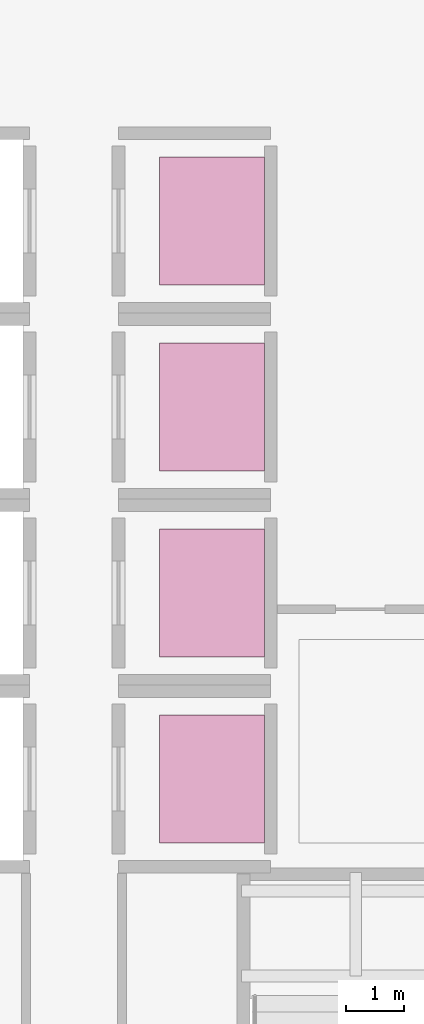
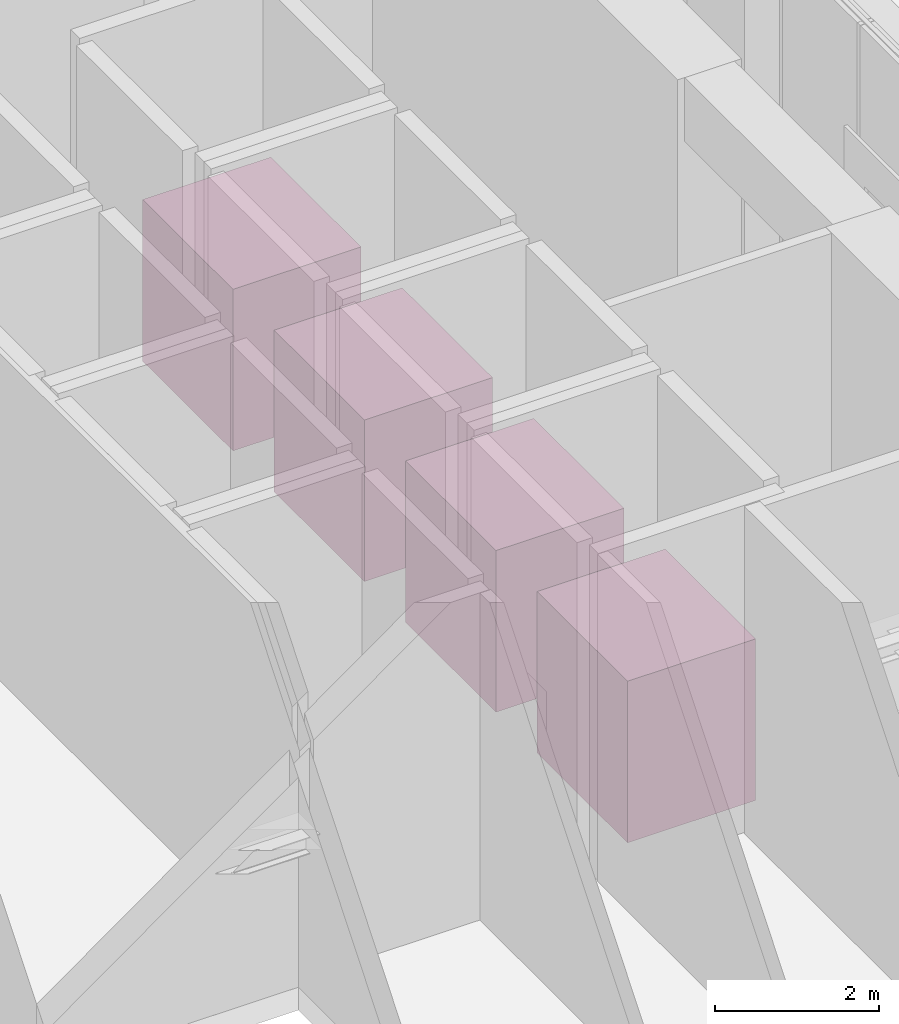
# One storey, part 24 of 24: 4 transport elements.
"""IFC4 building model written with IfcOpenShell, lengths in metres."""

import ifcopenshell
import ifcopenshell.guid

model = None  # the IFC model being written
_history = None  # IfcOwnerHistory: only IFC2X3 demands one
_inside = {}  # id of a spatial element -> (the spatial element, [elements in it])
_under = {}  # id of a project, library or spatial element -> (it, [spatial elements below it])
_declared = {}  # id of a project -> (the project, [libraries it declares])
_typed = {}  # id of a type object -> (the type object, [elements of that type])
_made_of = {}  # id of a material, layer set ... -> (it, [elements and type objects made of it])


def new_model(schema):
    """Start an empty IFC model of exactly this schema.

    Asked for "IFC4X3", IfcOpenShell would pick the latest addendum, in which some entities
    have other attributes; the version numbers below select the first issue.
    IFC2X3 requires an IfcOwnerHistory on every rooted entity: one is made here for all.
    """
    global model, _history
    if schema == "IFC4X3":
        model = ifcopenshell.file(schema_version=(4, 3, 0, 0))
    else:
        model = ifcopenshell.file(schema=schema)
    _inside.clear()
    _under.clear()
    _declared.clear()
    _typed.clear()
    _made_of.clear()
    _history = None
    if model.schema == "IFC2X3":
        org = make("IfcOrganization", Name="unknown")
        user = make(
            "IfcPersonAndOrganization",
            ThePerson=make("IfcPerson", FamilyName="unknown"),
            TheOrganization=org,
        )
        app = make(
            "IfcApplication",
            ApplicationDeveloper=org,
            Version="unknown",
            ApplicationFullName="unknown",
            ApplicationIdentifier="unknown",
        )
        _history = make(
            "IfcOwnerHistory",
            OwningUser=user,
            OwningApplication=app,
            ChangeAction="ADDED",
            CreationDate=0,
        )
    return model


def make(cls, **values):
    """One entity of the class cls with the attributes given. An attribute that is None is left unset."""
    return model.create_entity(
        cls, **{name: value for name, value in values.items() if value is not None}
    )


def rooted(cls, **values):
    """An entity with a GlobalId (a new one), such as an element, a storey or a relation."""
    return make(cls, GlobalId=ifcopenshell.guid.new(), OwnerHistory=_history, **values)


def si_unit(unit_type, name, prefix=None):
    """IfcSIUnit, for example si_unit("LENGTHUNIT", "METRE", prefix="MILLI")."""
    return make("IfcSIUnit", UnitType=unit_type, Prefix=prefix, Name=name)


def assignment(units):
    """IfcUnitAssignment: the units of a project."""
    return None if units is None else make("IfcUnitAssignment", Units=units)


def point(xyz):
    """IfcCartesianPoint."""
    return None if xyz is None else make("IfcCartesianPoint", Coordinates=xyz)


def direction(xyz):
    """IfcDirection."""
    return None if xyz is None else make("IfcDirection", DirectionRatios=xyz)


def frame(location, z_axis=None, x_axis=None):
    """IfcAxis2Placement3D, a coordinate frame: its origin and axes. An axis left out is left unset."""
    return make(
        "IfcAxis2Placement3D",
        Location=point(location),
        Axis=direction(z_axis),
        RefDirection=direction(x_axis),
    )


def frame_2d(location, x_axis=None):
    """IfcAxis2Placement2D, a coordinate frame in the plane: its origin and x axis."""
    return make(
        "IfcAxis2Placement2D", Location=point(location), RefDirection=direction(x_axis)
    )


def origin():
    """The frame at (0, 0, 0) with its axes left unset."""
    return frame((0.0, 0.0, 0.0))


def origin_2d():
    """The frame at (0, 0) in the plane with its x axis left unset."""
    return frame_2d((0.0, 0.0))


def place(relative_to, where):
    """IfcLocalPlacement: puts the frame where relative to a parent placement (None: the world)."""
    return make(
        "IfcLocalPlacement", PlacementRelTo=relative_to, RelativePlacement=where
    )


def context(
    kind, dimensions, precision=None, world=None, true_north=None, identifier=None
):
    """IfcGeometricRepresentationContext, for example the 3D "Model" context."""
    return make(
        "IfcGeometricRepresentationContext",
        ContextIdentifier=identifier,
        ContextType=kind,
        CoordinateSpaceDimension=dimensions,
        Precision=precision,
        WorldCoordinateSystem=world,
        TrueNorth=true_north,
    )


def subcontext(parent, identifier, kind, view, scale=None):
    """IfcGeometricRepresentationSubContext, for example "Body" below "Model"."""
    return make(
        "IfcGeometricRepresentationSubContext",
        ContextIdentifier=identifier,
        ContextType=kind,
        ParentContext=parent,
        TargetScale=scale,
        TargetView=view,
    )


def project(units=None, contexts=None):
    """IfcProject with its units and contexts."""
    return rooted(
        "IfcProject",
        Name="project",
        RepresentationContexts=contexts,
        UnitsInContext=assignment(units),
    )


def spatial(cls, under=None, at=None, **own):
    """A site, building, storey or space (cls), placed at a placement, below another one or the project."""
    s = rooted(cls, ObjectPlacement=at, **own)
    if under is not None:
        _under.setdefault(under.id(), (under, []))[1].append(s)
    return s


def profile(cls, at=None, kind="AREA", **sizes):
    """A parametric profile (cls). Its sizes go by their IFC names, for example OverallWidth=200.0."""
    return make(cls, ProfileType=kind, Position=at, **sizes)


def rectangle(**sizes):
    """IfcRectangleProfileDef."""
    return profile("IfcRectangleProfileDef", **sizes)


def extrude(swept, where, along, depth):
    """IfcExtrudedAreaSolid: the profile swept, set in the frame where, extruded along a direction by depth."""
    return make(
        "IfcExtrudedAreaSolid",
        SweptArea=swept,
        Position=where,
        ExtrudedDirection=direction(along),
        Depth=depth,
    )


def shape(context_of_items, identifier, shape_type, items):
    """IfcShapeRepresentation: the items that make up one representation, for example the "Body"."""
    return make(
        "IfcShapeRepresentation",
        ContextOfItems=context_of_items,
        RepresentationIdentifier=identifier,
        RepresentationType=shape_type,
        Items=items,
    )


def material(Name=None, Category=None):
    """IfcMaterial."""
    return make("IfcMaterial", Name=Name, Category=Category)


def made_of(thing, what):
    """Note that an element or type object is made of a material, layer set ...; save() writes the relation."""
    if what is not None:
        _made_of.setdefault(what.id(), (what, []))[1].append(thing)
    return thing


def type_object(cls, material=None, **own):
    """A type object (cls), such as IfcWallType, which elements share."""
    return made_of(rooted(cls, **own), material)


def element(
    cls,
    number,
    at=None,
    inside=None,
    cuts=None,
    type_object=None,
    material=None,
    context=None,
    identifier="Body",
    shape_type=None,
    held_by="IfcProductDefinitionShape",
    body=None,
    shapes=None,
    **own,
):
    """One element of the class cls, such as IfcWall. Its Tag is "e" and its number.

    at: its placement. inside: the storey or other place that contains it. cuts: it is an
    opening in that element (IfcRelVoidsElement). A single representation is given by context,
    identifier, shape_type and body (its items); several are given by shapes. held_by: the class
    of the entity that holds the representations. save() writes the other relations.
    """
    e = rooted(cls, Tag="e%d" % number, ObjectPlacement=at, **own)
    if body is not None:
        shapes = [shape(context, identifier, shape_type, body)]
    if shapes is not None:
        e.Representation = make(held_by, Representations=shapes)
    if inside is not None:
        _inside.setdefault(inside.id(), (inside, []))[1].append(e)
    if cuts is not None:
        rooted(
            "IfcRelVoidsElement", RelatingBuildingElement=cuts, RelatedOpeningElement=e
        )
    if type_object is not None:
        _typed.setdefault(type_object.id(), (type_object, []))[1].append(e)
    return made_of(e, material)


def aggregate(whole, parts):
    """IfcRelAggregates: a whole, such as a stair, and the parts it consists of."""
    return rooted("IfcRelAggregates", RelatingObject=whole, RelatedObjects=parts)


def save(model, path):
    """Write the relations noted so far, then the file.

    IfcRelAggregates (storeys below a building ...), IfcRelContainedInSpatialStructure (elements
    in a storey), IfcRelDefinesByType, IfcRelAssociatesMaterial and IfcRelDeclares: one each for
    every whole, place, type object, material and project.
    """
    for whole, parts in _under.values():
        aggregate(whole, parts)
    for where, things in _inside.values():
        rooted(
            "IfcRelContainedInSpatialStructure",
            RelatedElements=things,
            RelatingStructure=where,
        )
    for kind, things in _typed.values():
        rooted("IfcRelDefinesByType", RelatedObjects=things, RelatingType=kind)
    for what, things in _made_of.values():
        rooted("IfcRelAssociatesMaterial", RelatedObjects=things, RelatingMaterial=what)
    for by, libraries in _declared.values():
        rooted("IfcRelDeclares", RelatingContext=by, RelatedDefinitions=libraries)
    model.write(path)


model = new_model("IFC4")

# Units and contexts
model_context = context("Model", 3, precision=1e-05, world=origin(), true_north=direction((0.0, 1.0)))
body_context = subcontext(model_context, "Body", "Model", "MODEL_VIEW")
ifc_project = project(units=[si_unit("LENGTHUNIT", "METRE"), si_unit("AREAUNIT", "SQUARE_METRE"), si_unit("VOLUMEUNIT", "CUBIC_METRE"), si_unit("PLANEANGLEUNIT", "RADIAN"), si_unit("MASSUNIT", "GRAM", prefix="KILO")], contexts=[model_context])

# Site, building, storey
site_placement = place(None, origin())
site = spatial("IfcSite", under=ifc_project, at=site_placement, CompositionType="ELEMENT")
building_placement = place(site_placement, origin())
building = spatial("IfcBuilding", under=site, at=building_placement, Name="Norrvale University Quadrangle", CompositionType="ELEMENT")
storey_placement = place(building_placement, origin())
storey = spatial("IfcBuildingStorey", under=building, at=storey_placement, Name="L00", CompositionType="ELEMENT", Elevation=0.0)

# Transport elements
ifc_material = material(Name="Stainless Steel 316L Elevator Cab", Category="steel")
transport_element_type = type_object("IfcTransportElementType", Name="Lift Tower Passenger 1800", PredefinedType="ELEVATOR", material=ifc_material)
for number, where, z_axis, x_axis, name in (
    (1, (12.10009765625, 19.39990234375, 0.0), (0.0, 0.0, 1.0), (1.0, 0.0, 0.0), "Elevator Car PL-05"),
    (2, (12.10009765625, 22.60009765625, 0.0), (0.0, 0.0, 1.0), (1.0, 0.0, 0.0), "Elevator Car PL-06"),
    (3, (12.10009765625, 25.800048828125, 0.0), (0.0, 0.0, 1.0), (1.0, 0.0, 0.0), "Elevator Car PL-07"),
    (4, (12.10009765625, 29.0, 0.0), (0.0, 0.0, 1.0), (1.0, 0.0, 0.0), "Elevator Car PL-08"),
):
    element("IfcTransportElement", number, at=place(storey_placement, frame(where, z_axis=z_axis, x_axis=x_axis)), inside=storey, type_object=transport_element_type, Name=name, PredefinedType="ELEVATOR", context=body_context, shape_type="SweptSolid", body=[
        extrude(rectangle(XDim=1.800048828125, YDim=2.199951171875, at=origin_2d()), origin(), (0.0, 0.0, 1.0), 2.39990234375),
    ])

save(model, "model.ifc")
